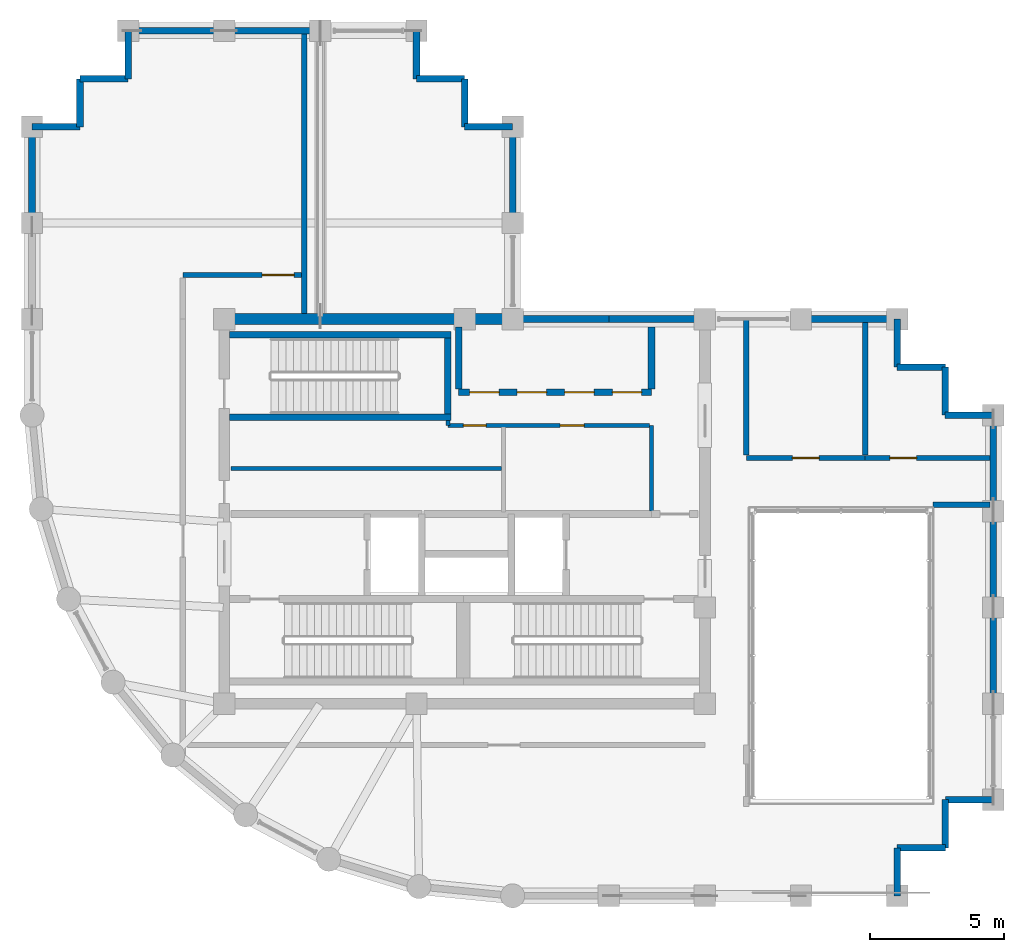
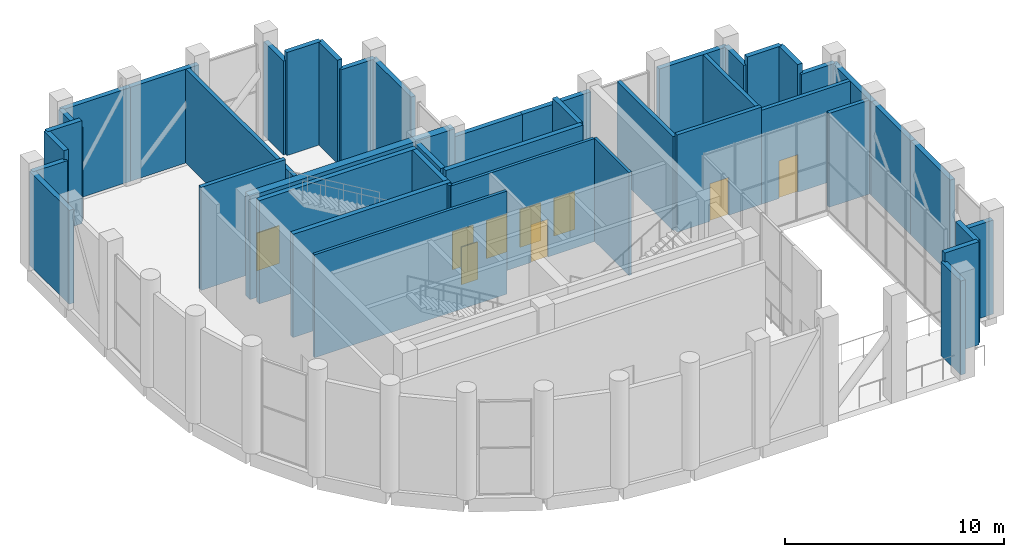
# One storey, part 15 of 17: 44 walls, 9 doors, 9 openings.
"""IFC4 building model written with IfcOpenShell, lengths in metres."""

from ifc_helpers import new_model, si_unit, direction, frame, frame_2d, origin, place, context, subcontext, project, spatial, rectangle, extrude, material, layer, layer_set, type_object, element, fill, save


model = new_model("IFC4")

# Units and contexts
model_context = context("Model", 3, precision=1e-05, world=origin(), true_north=direction((0.0, 1.0)))
body_context = subcontext(model_context, "Body", "Model", "MODEL_VIEW")
ifc_project = project(units=[si_unit("LENGTHUNIT", "METRE"), si_unit("AREAUNIT", "SQUARE_METRE"), si_unit("VOLUMEUNIT", "CUBIC_METRE"), si_unit("PLANEANGLEUNIT", "RADIAN"), si_unit("MASSUNIT", "GRAM", prefix="KILO")], contexts=[model_context])

# Site, building, storey
site_placement = place(None, origin())
site = spatial("IfcSite", under=ifc_project, at=site_placement, CompositionType="ELEMENT")
building_placement = place(site_placement, origin())
building = spatial("IfcBuilding", under=site, at=building_placement, Name="Solnavia Interchange Tower", CompositionType="ELEMENT")
storey_placement = place(building_placement, frame((0.0, 0.0, 249.800048828125)))
storey = spatial("IfcBuildingStorey", under=building, at=storey_placement, Name="L63", CompositionType="ELEMENT", Elevation=249.800048828125)

# Walls
ifc_material_1 = material(Name="Concrete C40/50", Category="concrete")
ifc_layer_1 = layer(ifc_material_1, 0.25)
ifc_layer_set_1 = layer_set([ifc_layer_1], Name="Concrete C40/50")
wall_type_1 = type_object("IfcWallType", Name="Wall-ExtSpandrel-250", PredefinedType="STANDARD", material=ifc_layer_set_1)
wall_1_placement = place(storey_placement, frame((39.60009765625, 5.39990234375, 0.0), z_axis=(0.0, 0.0, 1.0), x_axis=(0.0, -1.0, 0.0)))
element("IfcWall", 1, at=wall_1_placement, inside=storey, type_object=wall_type_1, Name="EXW-L63-05 Exterior precast spandrel wall", PredefinedType="STANDARD", context=body_context, shape_type="SweptSolid", body=[
    extrude(rectangle(XDim=1.7998046875, YDim=0.25, at=frame_2d((0.89990234375, 0.0))), origin(), (0.0, 0.0, 1.0), 5.22998046875),
])
wall_2_placement = place(storey_placement, frame((41.39990234375, 5.39990234375, 0.0), z_axis=(0.0, 0.0, 1.0), x_axis=(-1.0, 0.0, 0.0)))
element("IfcWall", 2, at=wall_2_placement, inside=storey, type_object=wall_type_1, Name="EXW-L63-06 Exterior precast spandrel wall", PredefinedType="STANDARD", context=body_context, shape_type="SweptSolid", body=[
    extrude(rectangle(XDim=1.7998046875, YDim=0.25, at=frame_2d((0.89990234375, 0.0))), origin(), (0.0, 0.0, 1.0), 5.73486328125),
])
wall_3_placement = place(storey_placement, frame((41.39990234375, 7.199951171875, 0.0), z_axis=(0.0, 0.0, 1.0), x_axis=(0.0, -1.0, 0.0)))
element("IfcWall", 3, at=wall_3_placement, inside=storey, type_object=wall_type_1, Name="EXW-L63-07 Exterior precast spandrel wall", PredefinedType="STANDARD", context=body_context, shape_type="SweptSolid", body=[
    extrude(rectangle(XDim=1.800048828125, YDim=0.25, at=frame_2d((0.89990234375, 0.0))), origin(), (0.0, 0.0, 1.0), 5.73486328125),
])
wall_4_placement = place(storey_placement, frame((43.199951171875, 7.199951171875, 0.0), z_axis=(0.0, 0.0, 1.0), x_axis=(-1.0, 0.0, 0.0)))
element("IfcWall", 4, at=wall_4_placement, inside=storey, type_object=wall_type_1, Name="EXW-L63-08 Exterior precast spandrel wall", PredefinedType="STANDARD", context=body_context, shape_type="SweptSolid", body=[
    extrude(rectangle(XDim=1.800048828125, YDim=0.25, at=frame_2d((0.89990234375, 0.0))), origin(), (0.0, 0.0, 1.0), 5.22998046875),
])
wall_5_placement = place(storey_placement, frame((43.199951171875, 14.39990234375, 0.0), z_axis=(0.0, 0.0, 1.0), x_axis=(0.0, -1.0, 0.0)))
element("IfcWall", 5, at=wall_5_placement, inside=storey, type_object=wall_type_1, Name="EXW-L63-10 Exterior precast spandrel wall", PredefinedType="STANDARD", context=body_context, shape_type="SweptSolid", body=[
    extrude(rectangle(XDim=3.599853515625, YDim=0.25, at=frame_2d((1.7998046875, 0.0))), origin(), (0.0, 0.0, 1.0), 5.22998046875),
])
for number, where, z_axis, x_axis, name in (
    (6, (43.199951171875, 18.0, 0.0), (0.0, 0.0, 1.0), (0.0, -1.0, 0.0), "EXW-L63-11 Exterior precast spandrel wall"),
    (7, (43.199951171875, 21.60009765625, 0.0), (0.0, 0.0, 1.0), (0.0, -1.0, 0.0), "EXW-L63-12 Exterior precast spandrel wall"),
):
    element("IfcWall", number, at=place(storey_placement, frame(where, z_axis=z_axis, x_axis=x_axis)), inside=storey, type_object=wall_type_1, Name=name, PredefinedType="STANDARD", context=body_context, shape_type="SweptSolid", body=[
        extrude(rectangle(XDim=3.60009765625, YDim=0.25, at=frame_2d((1.800048828125, 0.0))), origin(), (0.0, 0.0, 1.0), 5.22998046875),
    ])
wall_6_placement = place(storey_placement, frame((41.39990234375, 21.60009765625, 0.0), z_axis=(0.0, 0.0, 1.0), x_axis=(1.0, 0.0, 0.0)))
element("IfcWall", 8, at=wall_6_placement, inside=storey, type_object=wall_type_1, Name="EXW-L63-13 Exterior precast spandrel wall", PredefinedType="STANDARD", context=body_context, shape_type="SweptSolid", body=[
    extrude(rectangle(XDim=1.800048828125, YDim=0.25, at=frame_2d((0.89990234375, 0.0))), origin(), (0.0, 0.0, 1.0), 5.22998046875),
])
for number, where, z_axis, x_axis, name in (
    (9, (41.39990234375, 23.39990234375, 0.0), (0.0, 0.0, 1.0), (0.0, -1.0, 0.0), "EXW-L63-14 Exterior precast spandrel wall"),
    (10, (39.60009765625, 23.39990234375, 0.0), (0.0, 0.0, 1.0), (1.0, 0.0, 0.0), "EXW-L63-15 Exterior precast spandrel wall"),
):
    element("IfcWall", number, at=place(storey_placement, frame(where, z_axis=z_axis, x_axis=x_axis)), inside=storey, type_object=wall_type_1, Name=name, PredefinedType="STANDARD", context=body_context, shape_type="SweptSolid", body=[
        extrude(rectangle(XDim=1.7998046875, YDim=0.25, at=frame_2d((0.89990234375, 0.0))), origin(), (0.0, 0.0, 1.0), 5.73486328125),
    ])
wall_7_placement = place(storey_placement, frame((39.60009765625, 25.199951171875, 0.0), z_axis=(0.0, 0.0, 1.0), x_axis=(0.0, -1.0, 0.0)))
element("IfcWall", 11, at=wall_7_placement, inside=storey, type_object=wall_type_1, Name="EXW-L63-16 Exterior precast spandrel wall", PredefinedType="STANDARD", context=body_context, shape_type="SweptSolid", body=[
    extrude(rectangle(XDim=1.800048828125, YDim=0.25, at=frame_2d((0.89990234375, 0.0))), origin(), (0.0, 0.0, 1.0), 5.22998046875),
])
wall_8_placement = place(storey_placement, frame((36.0, 25.199951171875, 0.0), z_axis=(0.0, 0.0, 1.0), x_axis=(1.0, 0.0, 0.0)))
element("IfcWall", 12, at=wall_8_placement, inside=storey, type_object=wall_type_1, Name="EXW-L63-17 Exterior precast spandrel wall", PredefinedType="STANDARD", context=body_context, shape_type="SweptSolid", body=[
    extrude(rectangle(XDim=3.60009765625, YDim=0.25, at=frame_2d((1.800048828125, 0.0))), origin(), (0.0, 0.0, 1.0), 5.22998046875),
])
wall_9_placement = place(storey_placement, frame((28.800048828125, 25.199951171875, 0.0), z_axis=(0.0, 0.0, 1.0), x_axis=(1.0, 0.0, 0.0)))
element("IfcWall", 13, at=wall_9_placement, inside=storey, type_object=wall_type_1, Name="EXW-L63-19 Exterior precast spandrel wall", PredefinedType="STANDARD", context=body_context, shape_type="SweptSolid", body=[
    extrude(rectangle(XDim=3.599853515625, YDim=0.25, at=frame_2d((1.7998046875, 0.0))), origin(), (0.0, 0.0, 1.0), 5.22998046875),
])
wall_10_placement = place(storey_placement, frame((25.199951171875, 25.199951171875, 0.0), z_axis=(0.0, 0.0, 1.0), x_axis=(1.0, 0.0, 0.0)))
element("IfcWall", 14, at=wall_10_placement, inside=storey, type_object=wall_type_1, Name="EXW-L63-20 Exterior precast spandrel wall", PredefinedType="STANDARD", context=body_context, shape_type="SweptSolid", body=[
    extrude(rectangle(XDim=3.60009765625, YDim=0.25, at=frame_2d((1.800048828125, 0.0))), origin(), (0.0, 0.0, 1.0), 5.22998046875),
])
wall_11_placement = place(storey_placement, frame((25.199951171875, 32.39990234375, 0.0), z_axis=(0.0, 0.0, 1.0), x_axis=(0.0, -1.0, 0.0)))
element("IfcWall", 15, at=wall_11_placement, inside=storey, type_object=wall_type_1, Name="EXW-L63-22 Exterior precast spandrel wall", PredefinedType="STANDARD", context=body_context, shape_type="SweptSolid", body=[
    extrude(rectangle(XDim=3.599853515625, YDim=0.25, at=frame_2d((1.7998046875, 0.0))), origin(), (0.0, 0.0, 1.0), 5.22998046875),
])
wall_12_placement = place(storey_placement, frame((23.39990234375, 32.39990234375, 0.0), z_axis=(0.0, 0.0, 1.0), x_axis=(1.0, 0.0, 0.0)))
element("IfcWall", 16, at=wall_12_placement, inside=storey, type_object=wall_type_1, Name="EXW-L63-23 Exterior precast spandrel wall", PredefinedType="STANDARD", context=body_context, shape_type="SweptSolid", body=[
    extrude(rectangle(XDim=1.800048828125, YDim=0.25, at=frame_2d((0.89990234375, 0.0))), origin(), (0.0, 0.0, 1.0), 5.22998046875),
])
wall_13_placement = place(storey_placement, frame((23.39990234375, 32.39990234375, 0.0), z_axis=(0.0, 0.0, 1.0), x_axis=(0.0, 1.0, 0.0)))
element("IfcWall", 17, at=wall_13_placement, inside=storey, type_object=wall_type_1, Name="EXW-L63-24 Exterior precast spandrel wall", PredefinedType="STANDARD", context=body_context, shape_type="SweptSolid", body=[
    extrude(rectangle(XDim=1.800048828125, YDim=0.25, at=frame_2d((0.89990234375, 0.0))), origin(), (0.0, 0.0, 1.0), 5.73486328125),
])
wall_14_placement = place(storey_placement, frame((21.60009765625, 34.199951171875, 0.0), z_axis=(0.0, 0.0, 1.0), x_axis=(1.0, 0.0, 0.0)))
element("IfcWall", 18, at=wall_14_placement, inside=storey, type_object=wall_type_1, Name="EXW-L63-25 Exterior precast spandrel wall", PredefinedType="STANDARD", context=body_context, shape_type="SweptSolid", body=[
    extrude(rectangle(XDim=1.7998046875, YDim=0.25, at=frame_2d((0.89990234375, 0.0))), origin(), (0.0, 0.0, 1.0), 5.73486328125),
])
wall_15_placement = place(storey_placement, frame((21.60009765625, 34.199951171875, 0.0), z_axis=(0.0, 0.0, 1.0), x_axis=(0.0, 1.0, 0.0)))
element("IfcWall", 19, at=wall_15_placement, inside=storey, type_object=wall_type_1, Name="EXW-L63-26 Exterior precast spandrel wall", PredefinedType="STANDARD", context=body_context, shape_type="SweptSolid", body=[
    extrude(rectangle(XDim=1.800048828125, YDim=0.25, at=frame_2d((0.89990234375, 0.0))), origin(), (0.0, 0.0, 1.0), 5.22998046875),
])
wall_16_placement = place(storey_placement, frame((14.39990234375, 36.0, 0.0), z_axis=(0.0, 0.0, 1.0), x_axis=(1.0, 0.0, 0.0)))
element("IfcWall", 20, at=wall_16_placement, inside=storey, type_object=wall_type_1, Name="EXW-L63-28 Exterior precast spandrel wall", PredefinedType="STANDARD", context=body_context, shape_type="SweptSolid", body=[
    extrude(rectangle(XDim=3.60009765625, YDim=0.25, at=frame_2d((1.800048828125, 0.0))), origin(), (0.0, 0.0, 1.0), 5.22998046875),
])
wall_17_placement = place(storey_placement, frame((10.800048828125, 36.0, 0.0), z_axis=(0.0, 0.0, 1.0), x_axis=(1.0, 0.0, 0.0)))
element("IfcWall", 21, at=wall_17_placement, inside=storey, type_object=wall_type_1, Name="EXW-L63-29 Exterior precast spandrel wall", PredefinedType="STANDARD", context=body_context, shape_type="SweptSolid", body=[
    extrude(rectangle(XDim=3.599853515625, YDim=0.25, at=frame_2d((1.7998046875, 0.0))), origin(), (0.0, 0.0, 1.0), 5.22998046875),
])
wall_18_placement = place(storey_placement, frame((10.800048828125, 34.199951171875, 0.0), z_axis=(0.0, 0.0, 1.0), x_axis=(0.0, 1.0, 0.0)))
element("IfcWall", 22, at=wall_18_placement, inside=storey, type_object=wall_type_1, Name="EXW-L63-30 Exterior precast spandrel wall", PredefinedType="STANDARD", context=body_context, shape_type="SweptSolid", body=[
    extrude(rectangle(XDim=1.800048828125, YDim=0.25, at=frame_2d((0.89990234375, 0.0))), origin(), (0.0, 0.0, 1.0), 5.22998046875),
])
for number, where, z_axis, x_axis, name in (
    (23, (9.0, 34.199951171875, 0.0), (0.0, 0.0, 1.0), (1.0, 0.0, 0.0), "EXW-L63-31 Exterior precast spandrel wall"),
    (24, (9.0, 32.39990234375, 0.0), (0.0, 0.0, 1.0), (0.0, 1.0, 0.0), "EXW-L63-32 Exterior precast spandrel wall"),
):
    element("IfcWall", number, at=place(storey_placement, frame(where, z_axis=z_axis, x_axis=x_axis)), inside=storey, type_object=wall_type_1, Name=name, PredefinedType="STANDARD", context=body_context, shape_type="SweptSolid", body=[
        extrude(rectangle(XDim=1.800048828125, YDim=0.25, at=frame_2d((0.89990234375, 0.0))), origin(), (0.0, 0.0, 1.0), 5.73486328125),
    ])
wall_19_placement = place(storey_placement, frame((7.199951171875, 32.39990234375, 0.0), z_axis=(0.0, 0.0, 1.0), x_axis=(1.0, 0.0, 0.0)))
element("IfcWall", 25, at=wall_19_placement, inside=storey, type_object=wall_type_1, Name="EXW-L63-33 Exterior precast spandrel wall", PredefinedType="STANDARD", context=body_context, shape_type="SweptSolid", body=[
    extrude(rectangle(XDim=1.800048828125, YDim=0.25, at=frame_2d((0.89990234375, 0.0))), origin(), (0.0, 0.0, 1.0), 5.22998046875),
])
wall_20_placement = place(storey_placement, frame((7.199951171875, 28.800048828125, 0.0), z_axis=(0.0, 0.0, 1.0), x_axis=(0.0, 1.0, 0.0)))
element("IfcWall", 26, at=wall_20_placement, inside=storey, type_object=wall_type_1, Name="EXW-L63-34 Exterior precast spandrel wall", PredefinedType="STANDARD", context=body_context, shape_type="SweptSolid", body=[
    extrude(rectangle(XDim=3.599853515625, YDim=0.25, at=frame_2d((1.7998046875, 0.0))), origin(), (0.0, 0.0, 1.0), 5.22998046875),
])

# Wall, openings, doors
ifc_material_2 = material(Name="Gypsum Plasterboard & Steel Stud", Category="steel")
ifc_layer_2 = layer(ifc_material_2, 0.14990234375)
ifc_layer_set_2 = layer_set([ifc_layer_2], Name="Gypsum Plasterboard & Steel Stud")
wall_type_2 = type_object("IfcWallType", Name="Wall-Partition-150", PredefinedType="PARTITIONING", material=ifc_layer_set_2)
wall_21_placement = place(storey_placement, frame((22.77490234375, 21.219970703125, 0.0), z_axis=(0.0, 0.0, 1.0), x_axis=(1.0, 0.0, 0.0)))
wall_21 = element("IfcWall", 27, at=wall_21_placement, inside=storey, type_object=wall_type_2, Name="CSW-L63-N-ALL Core shaft wall", PredefinedType="PARTITIONING", context=body_context, shape_type="SweptSolid", body=[
    extrude(rectangle(XDim=7.545166015625, YDim=0.14990234375, at=frame_2d((3.7724609375, 0.0))), origin(), (0.0, 0.0, 1.0), 5.73486328125),
])
opening_1_placement = place(wall_21_placement, frame((0.580078125, 0.0, 0.0)))
opening_1 = element("IfcOpeningElement", 28, at=opening_1_placement, cuts=wall_21, Name="Opening DR-10", PredefinedType="OPENING", context=body_context, shape_type="SweptSolid", body=[
    extrude(rectangle(XDim=0.85009765625, YDim=2.10009765625, at=frame_2d((0.425048828125, 1.050048828125))), frame((0.0, 0.0849609375, 0.0), z_axis=(0.0, -1.0, 0.0), x_axis=(1.0, 0.0, 0.0)), (0.0, 0.0, 1.0), 0.169921875),
])
opening_2_placement = place(wall_21_placement, frame((4.199951171875, 0.0, 0.0)))
opening_2 = element("IfcOpeningElement", 29, at=opening_2_placement, cuts=wall_21, Name="Opening DR-09", PredefinedType="OPENING", context=body_context, shape_type="SweptSolid", body=[
    extrude(rectangle(XDim=0.89990234375, YDim=2.10009765625, at=frame_2d((0.449951171875, 1.050048828125))), frame((0.0, 0.0849609375, 0.0), z_axis=(0.0, -1.0, 0.0), x_axis=(1.0, 0.0, 0.0)), (0.0, 0.0, 1.0), 0.169921875),
])
ifc_material_3 = material(Name="Moisture-Resistant Timber Door", Category="wood")
door_type_1 = type_object("IfcDoorType", Name="Door-Bathroom-850x2100", OperationType="SINGLE_SWING_RIGHT", PredefinedType="DOOR", material=ifc_material_3)
door_1_placement = place(opening_1_placement, origin())
door_1 = element("IfcDoor", 30, at=door_1_placement, inside=storey, type_object=door_type_1, Name="DR-L63-CS2 Core fire door", OperationType="SINGLE_SWING_LEFT", OverallHeight=2.10009765625, OverallWidth=0.85009765625, PredefinedType="DOOR", context=body_context, shape_type="SweptSolid", body=[
    extrude(rectangle(XDim=0.85009765625, YDim=2.10009765625, at=frame_2d((0.425048828125, 1.050048828125))), frame((0.0, 0.02490234375, 0.0), z_axis=(0.0, -1.0, 0.0), x_axis=(1.0, 0.0, 0.0)), (0.0, 0.0, 1.0), 0.050048828125),
])
fill(opening_1, door_1)
ifc_material_4 = material(Name="Engineered Oak Veneer Door", Category="wood")
door_type_2 = type_object("IfcDoorType", Name="Door-Internal-900x2100", OperationType="SINGLE_SWING_LEFT", PredefinedType="DOOR", material=ifc_material_4)
door_2_placement = place(opening_2_placement, origin())
door_2 = element("IfcDoor", 31, at=door_2_placement, inside=storey, type_object=door_type_2, Name="DR-L63-CS3 Core fire door", OperationType="SINGLE_SWING_RIGHT", OverallHeight=2.10009765625, OverallWidth=0.89990234375, PredefinedType="DOOR", context=body_context, shape_type="SweptSolid", body=[
    extrude(rectangle(XDim=0.89990234375, YDim=2.10009765625, at=frame_2d((0.449951171875, 1.050048828125))), frame((0.0, 0.02490234375, 0.0), z_axis=(0.0, -1.0, 0.0), x_axis=(1.0, 0.0, 0.0)), (0.0, 0.0, 1.0), 0.050048828125),
])
fill(opening_2, door_2)

# Walls
wall_22_placement = place(storey_placement, frame((22.77490234375, 21.219970703125, 0.0), z_axis=(0.0, 0.0, 1.0), x_axis=(0.0, 1.0, 0.0)))
element("IfcWall", 32, at=wall_22_placement, inside=storey, type_object=wall_type_2, Name="CSW-L63-ST-TIE Core shaft wall", PredefinedType="PARTITIONING", context=body_context, shape_type="SweptSolid", body=[
    extrude(rectangle(XDim=0.175048828125, YDim=0.14990234375, at=frame_2d((0.08740234375, 0.0))), origin(), (0.0, 0.0, 1.0), 5.73486328125),
])
wall_23_placement = place(storey_placement, frame((30.39990234375, 18.02001953125, 0.0), z_axis=(0.0, 0.0, 1.0), x_axis=(0.0, 1.0, 0.0)))
element("IfcWall", 33, at=wall_23_placement, inside=storey, type_object=wall_type_2, Name="CSW-L63-E-E Core shaft wall", PredefinedType="PARTITIONING", context=body_context, shape_type="SweptSolid", body=[
    extrude(rectangle(XDim=3.199951171875, YDim=0.14990234375, at=frame_2d((1.60009765625, 0.0))), origin(), (0.0, 0.0, 1.0), 5.73486328125),
])
wall_24_placement = place(storey_placement, frame((14.64990234375, 19.60009765625, 0.0), z_axis=(0.0, 0.0, 1.0), x_axis=(1.0, 0.0, 0.0)))
element("IfcWall", 34, at=wall_24_placement, inside=storey, type_object=wall_type_2, Name="CSW-L63-H1 Core shaft wall", PredefinedType="PARTITIONING", context=body_context, shape_type="SweptSolid", body=[
    extrude(rectangle(XDim=10.130126953125, YDim=0.14990234375, at=frame_2d((5.06494140625, 0.0))), origin(), (0.0, 0.0, 1.0), 5.73486328125),
])
ifc_layer_3 = layer(ifc_material_1, 0.199951171875)
ifc_layer_set_3 = layer_set([ifc_layer_3], Name="Concrete C40/50")
wall_type_3 = type_object("IfcWallType", Name="Wall-PlantFire-200", PredefinedType="PARTITIONING", material=ifc_layer_set_3)
wall_25_placement = place(storey_placement, frame((17.39990234375, 25.404052734375, 0.0), z_axis=(0.0, 0.0, 1.0), x_axis=(0.0, 1.0, 0.0)))
element("IfcWall", 35, at=wall_25_placement, inside=storey, type_object=wall_type_3, Name="PTW-L63-01 Interior partition wall", PredefinedType="PARTITIONING", context=body_context, shape_type="SweptSolid", body=[
    extrude(rectangle(XDim=10.467041015625, YDim=0.199951171875, at=frame_2d((5.2333984375, 0.0))), origin(), (0.0, 0.0, 1.0), 5.22998046875),
])

# Wall, opening, door
wall_26_placement = place(storey_placement, frame((12.85009765625, 26.85009765625, 0.0), z_axis=(0.0, 0.0, 1.0), x_axis=(1.0, 0.0, 0.0)))
wall_26 = element("IfcWall", 36, at=wall_26_placement, inside=storey, type_object=wall_type_3, Name="PTW-L63-03 Interior partition wall", PredefinedType="PARTITIONING", context=body_context, shape_type="SweptSolid", body=[
    extrude(rectangle(XDim=4.44580078125, YDim=0.199951171875, at=frame_2d((2.222900390625, 0.0))), origin(), (0.0, 0.0, 1.0), 5.73486328125),
])
opening_3_placement = place(wall_26_placement, frame((2.969970703125, 0.0, 0.0)))
opening_3 = element("IfcOpeningElement", 37, at=opening_3_placement, cuts=wall_26, Name="Opening DR-02", PredefinedType="OPENING", context=body_context, shape_type="SweptSolid", body=[
    extrude(rectangle(XDim=1.199951171875, YDim=2.10009765625, at=frame_2d((0.60009765625, 1.050048828125))), frame((0.0, 0.10986328125, 0.0), z_axis=(0.0, -1.0, 0.0), x_axis=(1.0, 0.0, 0.0)), (0.0, 0.0, 1.0), 0.219970703125),
])
ifc_material_5 = material(Name="Steel Fire-Rated Vision-Panel Door", Category="steel")
door_type_3 = type_object("IfcDoorType", Name="Door-LobbyFire-1200x2100", OperationType="SINGLE_SWING_RIGHT", PredefinedType="DOOR", material=ifc_material_5)
door_3_placement = place(opening_3_placement, origin())
door_3 = element("IfcDoor", 38, at=door_3_placement, inside=storey, type_object=door_type_3, Name="DR-L63-02 Interior room door", OperationType="SINGLE_SWING_RIGHT", OverallHeight=2.10009765625, OverallWidth=1.199951171875, PredefinedType="DOOR", context=body_context, shape_type="SweptSolid", body=[
    extrude(rectangle(XDim=1.199951171875, YDim=2.10009765625, at=frame_2d((0.60009765625, 1.050048828125))), frame((0.0, 0.02490234375, 0.0), z_axis=(0.0, -1.0, 0.0), x_axis=(1.0, 0.0, 0.0)), (0.0, 0.0, 1.0), 0.050048828125),
])
fill(opening_3, door_3)

# Wall
wall_27_placement = place(storey_placement, frame((40.949951171875, 18.25, 0.0), z_axis=(0.0, 0.0, 1.0), x_axis=(1.0, 0.0, 0.0)))
element("IfcWall", 39, at=wall_27_placement, inside=storey, type_object=wall_type_3, Name="PTW-L63-08 Interior partition wall", PredefinedType="PARTITIONING", context=body_context, shape_type="SweptSolid", body=[
    extrude(rectangle(XDim=2.12109375, YDim=0.199951171875, at=frame_2d((1.060546875, 0.0))), origin(), (0.0, 0.0, 1.0), 5.22998046875),
])

# Wall, opening, door
wall_28_placement = place(storey_placement, frame((33.949951171875, 20.0, 0.0), z_axis=(0.0, 0.0, 1.0), x_axis=(1.0, 0.0, 0.0)))
wall_28 = element("IfcWall", 40, at=wall_28_placement, inside=storey, type_object=wall_type_3, Name="PTW-L63-09 Interior partition wall", PredefinedType="PARTITIONING", context=body_context, shape_type="SweptSolid", body=[
    extrude(rectangle(XDim=4.449951171875, YDim=0.199951171875, at=frame_2d((2.22509765625, 0.0))), origin(), (0.0, 0.0, 1.0), 5.419921875),
])
opening_4_placement = place(wall_28_placement, frame((1.72509765625, 0.0, 0.0)))
opening_4 = element("IfcOpeningElement", 41, at=opening_4_placement, cuts=wall_28, Name="Opening DR-04", PredefinedType="OPENING", context=body_context, shape_type="SweptSolid", body=[
    extrude(rectangle(XDim=1.0, YDim=2.10009765625, at=frame_2d((0.5, 1.050048828125))), frame((0.0, 0.10986328125, 0.0), z_axis=(0.0, -1.0, 0.0), x_axis=(1.0, 0.0, 0.0)), (0.0, 0.0, 1.0), 0.219970703125),
])
ifc_material_6 = material(Name="Steel Fire-Rated Plant Door", Category="steel")
door_type_4 = type_object("IfcDoorType", Name="Door-PlantFire-1000x2100", OperationType="SINGLE_SWING_LEFT", PredefinedType="DOOR", material=ifc_material_6)
door_4_placement = place(opening_4_placement, origin())
door_4 = element("IfcDoor", 42, at=door_4_placement, inside=storey, type_object=door_type_4, Name="DR-L63-05 Interior room door", OperationType="SINGLE_SWING_LEFT", OverallHeight=2.10009765625, OverallWidth=1.0, PredefinedType="DOOR", context=body_context, shape_type="SweptSolid", body=[
    extrude(rectangle(XDim=1.0, YDim=2.10009765625, at=frame_2d((0.5, 1.050048828125))), frame((0.0, 0.02490234375, 0.0), z_axis=(0.0, -1.0, 0.0), x_axis=(1.0, 0.0, 0.0)), (0.0, 0.0, 1.0), 0.050048828125),
])
fill(opening_4, door_4)

wall_29_placement = place(storey_placement, frame((38.39990234375, 20.0, 0.0), z_axis=(0.0, 0.0, 1.0), x_axis=(1.0, 0.0, 0.0)))
wall_29 = element("IfcWall", 43, at=wall_29_placement, inside=storey, type_object=wall_type_3, Name="PTW-L63-10 Interior partition wall", PredefinedType="PARTITIONING", context=body_context, shape_type="SweptSolid", body=[
    extrude(rectangle(XDim=4.671142578125, YDim=0.199951171875, at=frame_2d((2.33544921875, 0.0))), origin(), (0.0, 0.0, 1.0), 5.22998046875),
])
opening_5_placement = place(wall_29_placement, frame((0.926025390625, 0.0, 0.0)))
opening_5 = element("IfcOpeningElement", 44, at=opening_5_placement, cuts=wall_29, Name="Opening DR-04", PredefinedType="OPENING", context=body_context, shape_type="SweptSolid", body=[
    extrude(rectangle(XDim=1.0, YDim=2.10009765625, at=frame_2d((0.5, 1.050048828125))), frame((0.0, 0.10986328125, 0.0), z_axis=(0.0, -1.0, 0.0), x_axis=(1.0, 0.0, 0.0)), (0.0, 0.0, 1.0), 0.219970703125),
])
door_5_placement = place(opening_5_placement, origin())
door_5 = element("IfcDoor", 45, at=door_5_placement, inside=storey, type_object=door_type_4, Name="DR-L63-06 Interior room door", OperationType="SINGLE_SWING_RIGHT", OverallHeight=2.10009765625, OverallWidth=1.0, PredefinedType="DOOR", context=body_context, shape_type="SweptSolid", body=[
    extrude(rectangle(XDim=1.0, YDim=2.10009765625, at=frame_2d((0.5, 1.050048828125))), frame((0.0, 0.02490234375, 0.0), z_axis=(0.0, -1.0, 0.0), x_axis=(1.0, 0.0, 0.0)), (0.0, 0.0, 1.0), 0.050048828125),
])
fill(opening_5, door_5)

# Walls
wall_30_placement = place(storey_placement, frame((38.39990234375, 20.10400390625, 0.0), z_axis=(0.0, 0.0, 1.0), x_axis=(0.0, 1.0, 0.0)))
element("IfcWall", 46, at=wall_30_placement, inside=storey, type_object=wall_type_3, Name="PTW-L63-11 Interior partition wall", PredefinedType="PARTITIONING", context=body_context, shape_type="SweptSolid", body=[
    extrude(rectangle(XDim=4.967041015625, YDim=0.199951171875, at=frame_2d((2.4833984375, 0.0))), origin(), (0.0, 0.0, 1.0), 5.22998046875),
])
wall_31_placement = place(storey_placement, frame((33.949951171875, 20.10400390625, 0.0), z_axis=(0.0, 0.0, 1.0), x_axis=(0.0, 1.0, 0.0)))
element("IfcWall", 47, at=wall_31_placement, inside=storey, type_object=wall_type_3, Name="PTW-L63-12 Interior partition wall", PredefinedType="PARTITIONING", context=body_context, shape_type="SweptSolid", body=[
    extrude(rectangle(XDim=5.095947265625, YDim=0.199951171875, at=frame_2d((2.5478515625, 0.0))), origin(), (0.0, 0.0, 1.0), 5.22998046875),
])
ifc_layer_4 = layer(ifc_material_1, 0.25)
ifc_layer_set_4 = layer_set([ifc_layer_4], Name="Concrete C40/50")
wall_type_4 = type_object("IfcWallType", Name="Wall-ShaftCore-250", PredefinedType="SHEAR", material=ifc_layer_set_4)
for number, where, z_axis, x_axis, name in (
    (48, (14.60009765625, 21.52490234375, 0.0), (0.0, 0.0, 1.0), (1.0, 0.0, 0.0), "SHW-L63-ST3S Core shear wall"),
    (49, (14.60009765625, 24.614990234375, 0.0), (0.0, 0.0, 1.0), (1.0, 0.0, 0.0), "SHW-L63-ST3N Core shear wall"),
):
    element("IfcWall", number, at=place(storey_placement, frame(where, z_axis=z_axis, x_axis=x_axis)), inside=storey, type_object=wall_type_4, Name=name, PredefinedType="SHEAR", context=body_context, shape_type="SweptSolid", body=[
        extrude(rectangle(XDim=8.2998046875, YDim=0.25, at=frame_2d((4.14990234375, 0.0))), origin(), (0.0, 0.0, 1.0), 5.75),
    ])
wall_32_placement = place(storey_placement, frame((22.77490234375, 21.64990234375, 0.0), z_axis=(0.0, 0.0, 1.0), x_axis=(0.0, 1.0, 0.0)))
element("IfcWall", 50, at=wall_32_placement, inside=storey, type_object=wall_type_4, Name="SHW-L63-ST3E Core shear wall", PredefinedType="SHEAR", context=body_context, shape_type="SweptSolid", body=[
    extrude(rectangle(XDim=2.840087890625, YDim=0.25, at=frame_2d((1.419921875, 0.0))), origin(), (0.0, 0.0, 1.0), 5.75),
])

# Wall, openings, doors
ifc_layer_5 = layer(ifc_material_1, 0.25)
ifc_layer_set_5 = layer_set([ifc_layer_5], Name="Concrete C40/50")
wall_type_5 = type_object("IfcWallType", Name="Wall-ShaftPart-250", PredefinedType="PARTITIONING", material=ifc_layer_set_5)
wall_33_placement = place(storey_placement, frame((23.179931640625, 22.4599609375, 0.0), z_axis=(0.0, 0.0, 1.0), x_axis=(1.0, 0.0, 0.0)))
wall_33 = element("IfcWall", 51, at=wall_33_placement, inside=storey, type_object=wall_type_5, Name="SHW-L63-B3S Core shaft wall", PredefinedType="PARTITIONING", context=body_context, shape_type="SweptSolid", body=[
    extrude(rectangle(XDim=7.219970703125, YDim=0.25, at=frame_2d((3.60986328125, 0.0))), origin(), (0.0, 0.0, 1.0), 5.73486328125),
])
opening_6_placement = place(wall_33_placement, frame((0.409912109375, 0.0, 0.0)))
opening_6 = element("IfcOpeningElement", 52, at=opening_6_placement, cuts=wall_33, Name="Opening LD-01", PredefinedType="OPENING", context=body_context, shape_type="SweptSolid", body=[
    extrude(rectangle(XDim=1.10009765625, YDim=2.10009765625, at=frame_2d((0.550048828125, 1.050048828125))), frame((0.0, 0.135009765625, 0.0), z_axis=(0.0, -1.0, 0.0), x_axis=(1.0, 0.0, 0.0)), (0.0, 0.0, 1.0), 0.27001953125),
])
opening_7_placement = place(wall_33_placement, frame((2.18994140625, 0.0, 0.0)))
opening_7 = element("IfcOpeningElement", 53, at=opening_7_placement, cuts=wall_33, Name="Opening LD-01", PredefinedType="OPENING", context=body_context, shape_type="SweptSolid", body=[
    extrude(rectangle(XDim=1.10009765625, YDim=2.10009765625, at=frame_2d((0.550048828125, 1.050048828125))), frame((0.0, 0.135009765625, 0.0), z_axis=(0.0, -1.0, 0.0), x_axis=(1.0, 0.0, 0.0)), (0.0, 0.0, 1.0), 0.27001953125),
])
opening_8_placement = place(wall_33_placement, frame((3.969970703125, 0.0, 0.0)))
opening_8 = element("IfcOpeningElement", 54, at=opening_8_placement, cuts=wall_33, Name="Opening LD-01", PredefinedType="OPENING", context=body_context, shape_type="SweptSolid", body=[
    extrude(rectangle(XDim=1.10009765625, YDim=2.10009765625, at=frame_2d((0.550048828125, 1.050048828125))), frame((0.0, 0.135009765625, 0.0), z_axis=(0.0, -1.0, 0.0), x_axis=(1.0, 0.0, 0.0)), (0.0, 0.0, 1.0), 0.27001953125),
])
opening_9_placement = place(wall_33_placement, frame((5.75, 0.0, 0.0)))
opening_9 = element("IfcOpeningElement", 55, at=opening_9_placement, cuts=wall_33, Name="Opening LD-01", PredefinedType="OPENING", context=body_context, shape_type="SweptSolid", body=[
    extrude(rectangle(XDim=1.10009765625, YDim=2.10009765625, at=frame_2d((0.550048828125, 1.050048828125))), frame((0.0, 0.135009765625, 0.0), z_axis=(0.0, -1.0, 0.0), x_axis=(1.0, 0.0, 0.0)), (0.0, 0.0, 1.0), 0.27001953125),
])
ifc_material_7 = material(Name="Brushed Stainless Steel Sliding Door", Category="steel")
door_type_5 = type_object("IfcDoorType", Name="Door-LiftLanding-1100x2100", OperationType="SLIDING_TO_LEFT", PredefinedType="DOOR", material=ifc_material_7)
door_6_placement = place(opening_6_placement, origin())
door_6 = element("IfcDoor", 56, at=door_6_placement, inside=storey, type_object=door_type_5, Name="LD-L63-B3-1 Lift landing sliding door", OperationType="SLIDING_TO_LEFT", OverallHeight=2.10009765625, OverallWidth=1.10009765625, PredefinedType="DOOR", context=body_context, shape_type="SweptSolid", body=[
    extrude(rectangle(XDim=1.10009765625, YDim=2.10009765625, at=frame_2d((0.550048828125, 1.050048828125))), frame((0.0, 0.02490234375, 0.0), z_axis=(0.0, -1.0, 0.0), x_axis=(1.0, 0.0, 0.0)), (0.0, 0.0, 1.0), 0.050048828125),
])
fill(opening_6, door_6)
door_7_placement = place(opening_7_placement, origin())
door_7 = element("IfcDoor", 57, at=door_7_placement, inside=storey, type_object=door_type_5, Name="LD-L63-B3-2 Lift landing sliding door", OperationType="SLIDING_TO_LEFT", OverallHeight=2.10009765625, OverallWidth=1.10009765625, PredefinedType="DOOR", context=body_context, shape_type="SweptSolid", body=[
    extrude(rectangle(XDim=1.10009765625, YDim=2.10009765625, at=frame_2d((0.550048828125, 1.050048828125))), frame((0.0, 0.02490234375, 0.0), z_axis=(0.0, -1.0, 0.0), x_axis=(1.0, 0.0, 0.0)), (0.0, 0.0, 1.0), 0.050048828125),
])
fill(opening_7, door_7)
door_8_placement = place(opening_8_placement, origin())
door_8 = element("IfcDoor", 58, at=door_8_placement, inside=storey, type_object=door_type_5, Name="LD-L63-B3-3 Lift landing sliding door", OperationType="SLIDING_TO_LEFT", OverallHeight=2.10009765625, OverallWidth=1.10009765625, PredefinedType="DOOR", context=body_context, shape_type="SweptSolid", body=[
    extrude(rectangle(XDim=1.10009765625, YDim=2.10009765625, at=frame_2d((0.550048828125, 1.050048828125))), frame((0.0, 0.02490234375, 0.0), z_axis=(0.0, -1.0, 0.0), x_axis=(1.0, 0.0, 0.0)), (0.0, 0.0, 1.0), 0.050048828125),
])
fill(opening_8, door_8)
door_9_placement = place(opening_9_placement, origin())
door_9 = element("IfcDoor", 59, at=door_9_placement, inside=storey, type_object=door_type_5, Name="LD-L63-B3-4 Lift landing sliding door", OperationType="SLIDING_TO_LEFT", OverallHeight=2.10009765625, OverallWidth=1.10009765625, PredefinedType="DOOR", context=body_context, shape_type="SweptSolid", body=[
    extrude(rectangle(XDim=1.10009765625, YDim=2.10009765625, at=frame_2d((0.550048828125, 1.050048828125))), frame((0.0, 0.02490234375, 0.0), z_axis=(0.0, -1.0, 0.0), x_axis=(1.0, 0.0, 0.0)), (0.0, 0.0, 1.0), 0.050048828125),
])
fill(opening_9, door_9)

# Walls
for number, where, z_axis, x_axis, name in (
    (60, (23.179931640625, 22.5849609375, 0.0), (0.0, 0.0, 1.0), (0.0, 1.0, 0.0), "SHW-L63-B3W Core shaft wall"),
    (61, (30.39990234375, 22.5849609375, 0.0), (0.0, 0.0, 1.0), (0.0, 1.0, 0.0), "SHW-L63-B3E Core shaft wall"),
):
    element("IfcWall", number, at=place(storey_placement, frame(where, z_axis=z_axis, x_axis=x_axis)), inside=storey, type_object=wall_type_5, Name=name, PredefinedType="PARTITIONING", context=body_context, shape_type="SweptSolid", body=[
        extrude(rectangle(XDim=2.31494140625, YDim=0.25, at=frame_2d((1.157470703125, 0.0))), origin(), (0.0, 0.0, 1.0), 5.73486328125),
    ])
ifc_material_8 = material(Name="Concrete C50/60", Category="concrete")
ifc_layer_6 = layer(ifc_material_8, 0.39990234375)
ifc_layer_set_6 = layer_set([ifc_layer_6], Name="Concrete C50/60")
wall_type_6 = type_object("IfcWallType", Name="Wall-ShearCore-400", PredefinedType="SHEAR", material=ifc_layer_set_6)
wall_34_placement = place(storey_placement, frame((14.39990234375, 25.199951171875, 0.0), z_axis=(0.0, 0.0, 1.0), x_axis=(1.0, 0.0, 0.0)))
element("IfcWall", 62, at=wall_34_placement, inside=storey, type_object=wall_type_6, Name="CRW-L63-N Core shear wall", PredefinedType="SHEAR", context=body_context, shape_type="SweptSolid", body=[
    extrude(rectangle(XDim=10.800048828125, YDim=0.39990234375, at=frame_2d((5.39990234375, 0.0))), origin(), (0.0, 0.0, 1.0), 5.75),
])

save(model, "model.ifc")
